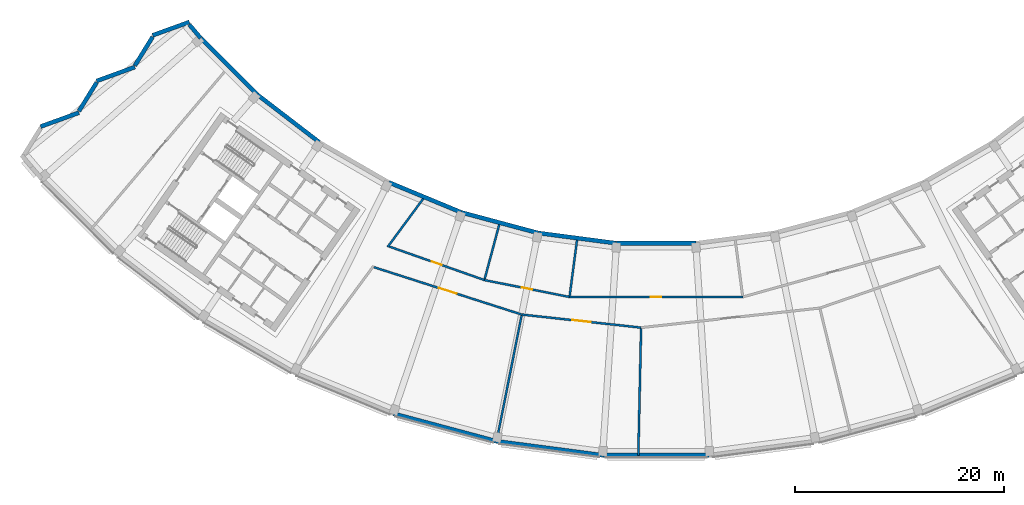
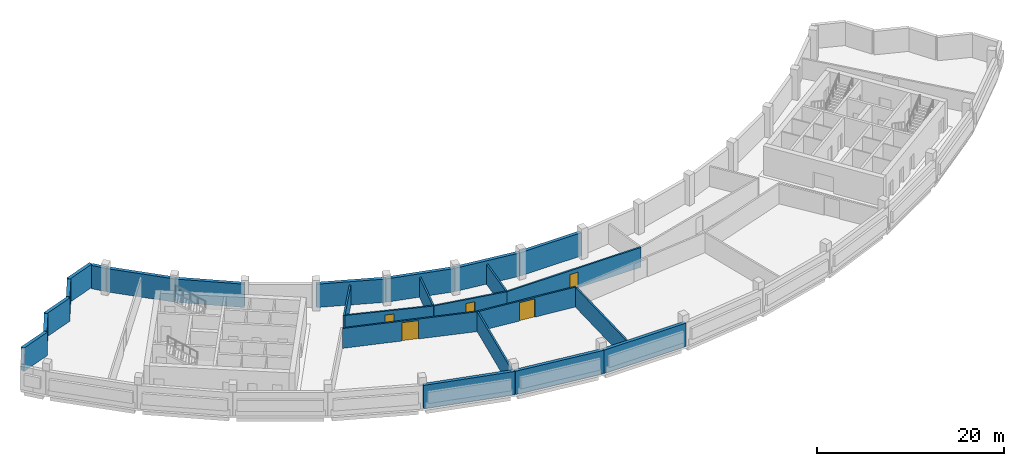
# One storey, part 4 of 11: 25 walls, 5 doors, 5 openings.
"""IFC4 building model written with IfcOpenShell, lengths in metres."""

from ifc_helpers import new_model, si_unit, direction, frame, frame_2d, origin, place, context, subcontext, project, spatial, rectangle, extrude, material, layer, layer_set, type_object, element, fill, save


model = new_model("IFC4")

# Units and contexts
model_context = context("Model", 3, precision=1e-05, world=origin(), true_north=direction((0.0, 1.0)))
body_context = subcontext(model_context, "Body", "Model", "MODEL_VIEW")
ifc_project = project(units=[si_unit("LENGTHUNIT", "METRE"), si_unit("AREAUNIT", "SQUARE_METRE"), si_unit("VOLUMEUNIT", "CUBIC_METRE"), si_unit("PLANEANGLEUNIT", "RADIAN"), si_unit("MASSUNIT", "GRAM", prefix="KILO")], contexts=[model_context])

# Site, building, storey
site_placement = place(None, origin())
site = spatial("IfcSite", under=ifc_project, at=site_placement, CompositionType="ELEMENT")
building_placement = place(site_placement, origin())
building = spatial("IfcBuilding", under=site, at=building_placement, Name="Qamariyya Broadcast Tower", CompositionType="ELEMENT")
storey_placement = place(building_placement, frame((0.0, 0.0, 298.699951171875)))
storey = spatial("IfcBuildingStorey", under=building, at=storey_placement, Name="L72", CompositionType="ELEMENT", Elevation=298.699951171875)

# Wall, opening, door
ifc_material_1 = material(Name="Masonry block wall", Category="masonry")
ifc_layer_1 = layer(ifc_material_1, 0.199951171875)
ifc_layer_set_1 = layer_set([ifc_layer_1], Name="Plant room wall 200 EI 120")
wall_type_1 = type_object("IfcWallType", Name="Plant room wall 200 EI 120", PredefinedType="PARTITIONING", material=ifc_layer_set_1)
wall_1_placement = place(storey_placement, frame((-12.8369140625, -64.53564453125, 0.0), z_axis=(0.0, 0.0, 1.0), x_axis=(-0.952315341923, 0.305115534736, 0.0)))
wall_1 = element("IfcWall", 1, at=wall_1_placement, inside=storey, type_object=wall_type_1, Name="Partition L72-003", PredefinedType="PARTITIONING", context=body_context, shape_type="SweptSolid", body=[
    extrude(rectangle(XDim=14.83251953125, YDim=0.199951171875, at=frame_2d((7.416259765625, 0.0))), origin(), (0.0, 0.0, 1.0), 2.60009765625),
])
opening_1_placement = place(wall_1_placement, frame((6.516357421875, 0.0, 0.0)))
opening_1 = element("IfcOpeningElement", 2, at=opening_1_placement, cuts=wall_1, Name="Opening L72-D01", PredefinedType="OPENING", context=body_context, shape_type="SweptSolid", body=[
    extrude(rectangle(XDim=1.800048828125, YDim=2.39990234375, at=frame_2d((0.89990234375, 1.199951171875))), frame((0.0, 0.10986328125, 0.0), z_axis=(0.0, -1.0, 0.0), x_axis=(1.0, 0.0, 0.0)), (0.0, 0.0, 1.0), 0.219970703125),
])
ifc_material_2 = material(Name="Insulated metal door leaf")
door_type_1 = type_object("IfcDoorType", Name="Plant double door 1800 x 2400 FD120", OperationType="NOTDEFINED", PredefinedType="DOOR", material=ifc_material_2)
door_1_placement = place(opening_1_placement, origin())
door_1 = element("IfcDoor", 3, at=door_1_placement, inside=storey, type_object=door_type_1, Name="Door L72-D01", OperationType="DOUBLE_DOOR_SINGLE_SWING", OverallHeight=2.39990234375, OverallWidth=1.800048828125, PredefinedType="DOOR", context=body_context, shape_type="SweptSolid", body=[
    extrude(rectangle(XDim=1.800048828125, YDim=2.39990234375, at=frame_2d((0.89990234375, 1.199951171875))), frame((0.0, 0.02490234375, 0.0), z_axis=(0.0, -1.0, 0.0), x_axis=(1.0, 0.0, 0.0)), (0.0, 0.0, 1.0), 0.050048828125),
])
fill(opening_1, door_1)

wall_2_placement = place(storey_placement, frame((-25.50390625, -58.035888671875, 0.0), z_axis=(0.0, 0.0, 1.0), x_axis=(0.943186956549, -0.332262494116, 0.0)))
wall_2 = element("IfcWall", 4, at=wall_2_placement, inside=storey, type_object=wall_type_1, Name="Partition L72-004", PredefinedType="PARTITIONING", context=body_context, shape_type="SweptSolid", body=[
    extrude(rectangle(XDim=9.642578125, YDim=0.199951171875, at=frame_2d((4.8212890625, 0.0))), origin(), (0.0, 0.0, 1.0), 2.60009765625),
])
opening_2_placement = place(wall_2_placement, frame((4.3212890625, 0.0, 0.0)))
opening_2 = element("IfcOpeningElement", 5, at=opening_2_placement, cuts=wall_2, Name="Opening L72-D05", PredefinedType="OPENING", context=body_context, shape_type="SweptSolid", body=[
    extrude(rectangle(XDim=1.0, YDim=2.10009765625, at=frame_2d((0.5, 1.050048828125))), frame((0.0, 0.10986328125, 0.0), z_axis=(0.0, -1.0, 0.0), x_axis=(1.0, 0.0, 0.0)), (0.0, 0.0, 1.0), 0.219970703125),
])
door_type_2 = type_object("IfcDoorType", Name="Plant door 1000 x 2100 FD120", OperationType="NOTDEFINED", PredefinedType="DOOR", material=ifc_material_2)
door_2_placement = place(opening_2_placement, origin())
door_2 = element("IfcDoor", 6, at=door_2_placement, inside=storey, type_object=door_type_2, Name="Door L72-D05", OperationType="SINGLE_SWING_RIGHT", OverallHeight=2.10009765625, OverallWidth=1.0, PredefinedType="DOOR", context=body_context, shape_type="SweptSolid", body=[
    extrude(rectangle(XDim=1.0, YDim=2.10009765625, at=frame_2d((0.5, 1.050048828125))), frame((0.0, 0.02490234375, 0.0), z_axis=(0.0, -1.0, 0.0), x_axis=(1.0, 0.0, 0.0)), (0.0, 0.0, 1.0), 0.050048828125),
])
fill(opening_2, door_2)

# Wall
wall_3_placement = place(storey_placement, frame((-22.251953125, -53.469482421875, 0.0), z_axis=(0.0, 0.0, 1.0), x_axis=(-0.593885763016, -0.804549377283, 0.0)))
element("IfcWall", 7, at=wall_3_placement, inside=storey, type_object=wall_type_1, Name="Partition L72-005", PredefinedType="PARTITIONING", context=body_context, shape_type="SweptSolid", body=[
    extrude(rectangle(XDim=5.734375, YDim=0.199951171875, at=frame_2d((2.8671875, 0.0))), origin(), (0.0, 0.0, 1.0), 2.60009765625),
])

# Wall, opening, door
wall_4_placement = place(storey_placement, frame((-16.4091796875, -61.23974609375, 0.0), z_axis=(0.0, 0.0, 1.0), x_axis=(0.98078508005, -0.195091329256, 0.0)))
wall_4 = element("IfcWall", 8, at=wall_4_placement, inside=storey, type_object=wall_type_1, Name="Partition L72-006", PredefinedType="PARTITIONING", context=body_context, shape_type="SweptSolid", body=[
    extrude(rectangle(XDim=8.293212890625, YDim=0.199951171875, at=frame_2d((4.146484375, 0.0))), origin(), (0.0, 0.0, 1.0), 2.60009765625),
])
opening_3_placement = place(wall_4_placement, frame((3.646484375, 0.0, 0.0)))
opening_3 = element("IfcOpeningElement", 9, at=opening_3_placement, cuts=wall_4, Name="Opening L72-D06", PredefinedType="OPENING", context=body_context, shape_type="SweptSolid", body=[
    extrude(rectangle(XDim=1.0, YDim=2.10009765625, at=frame_2d((0.5, 1.050048828125))), frame((0.0, 0.10986328125, 0.0), z_axis=(0.0, -1.0, 0.0), x_axis=(1.0, 0.0, 0.0)), (0.0, 0.0, 1.0), 0.219970703125),
])
door_3_placement = place(opening_3_placement, origin())
door_3 = element("IfcDoor", 10, at=door_3_placement, inside=storey, type_object=door_type_2, Name="Door L72-D06", OperationType="SINGLE_SWING_RIGHT", OverallHeight=2.10009765625, OverallWidth=1.0, PredefinedType="DOOR", context=body_context, shape_type="SweptSolid", body=[
    extrude(rectangle(XDim=1.0, YDim=2.10009765625, at=frame_2d((0.5, 1.050048828125))), frame((0.0, 0.02490234375, 0.0), z_axis=(0.0, -1.0, 0.0), x_axis=(1.0, 0.0, 0.0)), (0.0, 0.0, 1.0), 0.050048828125),
])
fill(opening_3, door_3)

# Walls
wall_5_placement = place(storey_placement, frame((-15.246337890625, -76.6484375, 0.0), z_axis=(0.0, 0.0, 1.0), x_axis=(0.195092710304, 0.98078480534, 0.0)))
element("IfcWall", 11, at=wall_5_placement, inside=storey, type_object=wall_type_1, Name="Partition L72-007", PredefinedType="PARTITIONING", context=body_context, shape_type="SweptSolid", body=[
    extrude(rectangle(XDim=12.25, YDim=0.199951171875, at=frame_2d((6.125, 0.0))), origin(), (0.0, 0.0, 1.0), 2.60009765625),
])
wall_6_placement = place(storey_placement, frame((-14.992431640625, -55.952880859375, 0.0), z_axis=(0.0, 0.0, 1.0), x_axis=(-0.258847367931, -0.965918236765, 0.0)))
element("IfcWall", 12, at=wall_6_placement, inside=storey, type_object=wall_type_1, Name="Partition L72-008", PredefinedType="PARTITIONING", context=body_context, shape_type="SweptSolid", body=[
    extrude(rectangle(XDim=5.373291015625, YDim=0.199951171875, at=frame_2d((2.6865234375, 0.0))), origin(), (0.0, 0.0, 1.0), 2.60009765625),
])

# Wall, opening, door
wall_7_placement = place(storey_placement, frame((-1.437255859375, -65.7841796875, 0.0), z_axis=(0.0, 0.0, 1.0), x_axis=(-0.994055682006, 0.108872866549, 0.0)))
wall_7 = element("IfcWall", 13, at=wall_7_placement, inside=storey, type_object=wall_type_1, Name="Partition L72-009", PredefinedType="PARTITIONING", context=body_context, shape_type="SweptSolid", body=[
    extrude(rectangle(XDim=11.4677734375, YDim=0.199951171875, at=frame_2d((5.73388671875, 0.0))), origin(), (0.0, 0.0, 1.0), 2.60009765625),
])
opening_4_placement = place(wall_7_placement, frame((4.833984375, 0.0, 0.0)))
opening_4 = element("IfcOpeningElement", 14, at=opening_4_placement, cuts=wall_7, Name="Opening L72-D02", PredefinedType="OPENING", context=body_context, shape_type="SweptSolid", body=[
    extrude(rectangle(XDim=1.800048828125, YDim=2.39990234375, at=frame_2d((0.89990234375, 1.199951171875))), frame((0.0, 0.10986328125, 0.0), z_axis=(0.0, -1.0, 0.0), x_axis=(1.0, 0.0, 0.0)), (0.0, 0.0, 1.0), 0.219970703125),
])
door_4_placement = place(opening_4_placement, origin())
door_4 = element("IfcDoor", 15, at=door_4_placement, inside=storey, type_object=door_type_1, Name="Door L72-D02", OperationType="DOUBLE_DOOR_SINGLE_SWING", OverallHeight=2.39990234375, OverallWidth=1.800048828125, PredefinedType="DOOR", context=body_context, shape_type="SweptSolid", body=[
    extrude(rectangle(XDim=1.800048828125, YDim=2.39990234375, at=frame_2d((0.89990234375, 1.199951171875))), frame((0.0, 0.02490234375, 0.0), z_axis=(0.0, -1.0, 0.0), x_axis=(1.0, 0.0, 0.0)), (0.0, 0.0, 1.0), 0.050048828125),
])
fill(opening_4, door_4)

wall_8_placement = place(storey_placement, frame((-8.275390625, -62.857666015625, 0.0), z_axis=(0.0, 0.0, 1.0), x_axis=(1.0, 0.0, 0.0)))
wall_8 = element("IfcWall", 16, at=wall_8_placement, inside=storey, type_object=wall_type_1, Name="Partition L72-010", PredefinedType="PARTITIONING", context=body_context, shape_type="SweptSolid", body=[
    extrude(rectangle(XDim=16.55078125, YDim=0.199951171875, at=frame_2d((8.275390625, 0.0))), origin(), (0.0, 0.0, 1.0), 2.60009765625),
])
opening_5_placement = place(wall_8_placement, frame((7.775390625, 0.0, 0.0)))
opening_5 = element("IfcOpeningElement", 17, at=opening_5_placement, cuts=wall_8, Name="Opening L72-D07", PredefinedType="OPENING", context=body_context, shape_type="SweptSolid", body=[
    extrude(rectangle(XDim=1.0, YDim=2.10009765625, at=frame_2d((0.5, 1.050048828125))), frame((0.0, 0.10986328125, 0.0), z_axis=(0.0, -1.0, 0.0), x_axis=(1.0, 0.0, 0.0)), (0.0, 0.0, 1.0), 0.219970703125),
])
door_5_placement = place(opening_5_placement, origin())
door_5 = element("IfcDoor", 18, at=door_5_placement, inside=storey, type_object=door_type_2, Name="Door L72-D07", OperationType="SINGLE_SWING_RIGHT", OverallHeight=2.10009765625, OverallWidth=1.0, PredefinedType="DOOR", context=body_context, shape_type="SweptSolid", body=[
    extrude(rectangle(XDim=1.0, YDim=2.10009765625, at=frame_2d((0.5, 1.050048828125))), frame((0.0, 0.02490234375, 0.0), z_axis=(0.0, -1.0, 0.0), x_axis=(1.0, 0.0, 0.0)), (0.0, 0.0, 1.0), 0.050048828125),
])
fill(opening_5, door_5)

# Walls
wall_9_placement = place(storey_placement, frame((-7.56103515625, -57.430908203125, 0.0), z_axis=(0.0, 0.0, 1.0), x_axis=(-0.130485069567, -0.991450274406, 0.0)))
element("IfcWall", 19, at=wall_9_placement, inside=storey, type_object=wall_type_1, Name="Partition L72-011", PredefinedType="PARTITIONING", context=body_context, shape_type="SweptSolid", body=[
    extrude(rectangle(XDim=5.37353515625, YDim=0.199951171875, at=frame_2d((2.686767578125, 0.0))), origin(), (0.0, 0.0, 1.0), 2.60009765625),
])
wall_10_placement = place(storey_placement, frame((-1.703857421875, -77.982177734375, 0.0), z_axis=(0.0, 0.0, 1.0), x_axis=(0.021850169331, 0.999761256551, 0.0)))
element("IfcWall", 20, at=wall_10_placement, inside=storey, type_object=wall_type_1, Name="Partition L72-012", PredefinedType="PARTITIONING", context=body_context, shape_type="SweptSolid", body=[
    extrude(rectangle(XDim=12.100830078125, YDim=0.199951171875, at=frame_2d((6.05029296875, 0.0))), origin(), (0.0, 0.0, 1.0), 2.60009765625),
])
ifc_material_3 = material(Name="Terracotta", Category="masonry")
ifc_layer_2 = layer(ifc_material_3, 0.39990234375)
ifc_layer_set_2 = layer_set([ifc_layer_2], Name="Solid terracotta louvred band wall 400")
wall_type_2 = type_object("IfcWallType", Name="Solid terracotta louvred band wall 400", PredefinedType="SOLIDWALL", material=ifc_layer_set_2)
wall_11_placement = place(storey_placement, frame((-44.58642578125, -36.581787109375, 0.0), z_axis=(0.0, 0.0, 1.0), x_axis=(-0.940130056589, -0.340815898541, 0.0)))
element("IfcWall", 21, at=wall_11_placement, inside=storey, type_object=wall_type_2, Name="e-wl-L72-capW0", PredefinedType="SOLIDWALL", context=body_context, shape_type="SweptSolid", body=[
    extrude(rectangle(XDim=3.742919921875, YDim=0.39990234375, at=frame_2d((1.87158203125, 0.0))), origin(), (0.0, 0.0, 1.0), 3.050048828125),
])
wall_12_placement = place(storey_placement, frame((-48.104248046875, -38.00341796875, 0.0), z_axis=(0.0, 0.0, 1.0), x_axis=(-0.525678481137, -0.850683333838, 0.0)))
element("IfcWall", 22, at=wall_12_placement, inside=storey, type_object=wall_type_2, Name="e-wl-L72-capW1", PredefinedType="SOLIDWALL", context=body_context, shape_type="SweptSolid", body=[
    extrude(rectangle(XDim=3.220458984375, YDim=0.39990234375, at=frame_2d((1.6103515625, 0.0))), origin(), (0.0, 0.0, 1.0), 3.050048828125),
])
wall_13_placement = place(storey_placement, frame((-49.79638671875, -40.888916015625, 0.0), z_axis=(0.0, 0.0, 1.0), x_axis=(-0.940086069154, -0.340937212083, 0.0)))
element("IfcWall", 23, at=wall_13_placement, inside=storey, type_object=wall_type_2, Name="e-wl-L72-capW2", PredefinedType="SOLIDWALL", context=body_context, shape_type="SweptSolid", body=[
    extrude(rectangle(XDim=3.892578125, YDim=0.39990234375, at=frame_2d((1.9462890625, 0.0))), origin(), (0.0, 0.0, 1.0), 3.050048828125),
])
wall_14_placement = place(storey_placement, frame((-53.454833984375, -42.362060546875, 0.0), z_axis=(0.0, 0.0, 1.0), x_axis=(-0.525649491409, -0.850701247314, 0.0)))
element("IfcWall", 24, at=wall_14_placement, inside=storey, type_object=wall_type_2, Name="e-wl-L72-capW3", PredefinedType="SOLIDWALL", context=body_context, shape_type="SweptSolid", body=[
    extrude(rectangle(XDim=3.21923828125, YDim=0.39990234375, at=frame_2d((1.609619140625, 0.0))), origin(), (0.0, 0.0, 1.0), 3.050048828125),
])
wall_15_placement = place(storey_placement, frame((-55.14599609375, -45.24658203125, 0.0), z_axis=(0.0, 0.0, 1.0), x_axis=(-0.940075029039, -0.340967652099, 0.0)))
element("IfcWall", 25, at=wall_15_placement, inside=storey, type_object=wall_type_2, Name="e-wl-L72-capW4", PredefinedType="SOLIDWALL", context=body_context, shape_type="SweptSolid", body=[
    extrude(rectangle(XDim=3.893798828125, YDim=0.39990234375, at=frame_2d((1.94677734375, 0.0))), origin(), (0.0, 0.0, 1.0), 3.050048828125),
])
wall_16_placement = place(storey_placement, frame((-43.51123046875, -38.122802734375, 0.0), z_axis=(0.0, 0.0, 1.0), x_axis=(-0.645545650865, 0.763721685334, 0.0)))
element("IfcWall", 26, at=wall_16_placement, inside=storey, type_object=wall_type_2, Name="e-wl-L72-in00", PredefinedType="SOLIDWALL", context=body_context, shape_type="SweptSolid", body=[
    extrude(rectangle(XDim=1.68359375, YDim=0.39990234375, at=frame_2d((0.841796875, 0.0))), origin(), (0.0, 0.0, 1.0), 3.050048828125),
])
wall_17_placement = place(storey_placement, frame((-38.125732421875, -43.511962890625, 0.0), z_axis=(0.0, 0.0, 1.0), x_axis=(-0.707106781187, 0.707106781187, 0.0)))
element("IfcWall", 27, at=wall_17_placement, inside=storey, type_object=wall_type_2, Name="e-wl-L72-in10", PredefinedType="SOLIDWALL", context=body_context, shape_type="SweptSolid", body=[
    extrude(rectangle(XDim=7.6025390625, YDim=0.39990234375, at=frame_2d((3.80126953125, 0.0))), origin(), (0.0, 0.0, 1.0), 3.050048828125),
])
for number, where, z_axis, x_axis, name in (
    (28, (-32.18017578125, -48.070068359375, 0.0), (0.0, 0.0, 1.0), (-0.793355236357, 0.608758957999, 0.0), "e-wl-L72-in20"),
    (29, (-18.642333984375, -54.760986328125, 0.0), (0.0, 0.0, 1.0), (-0.923872151004, 0.382701252414, 0.0), "e-wl-L72-in40"),
):
    element("IfcWall", number, at=place(storey_placement, frame(where, z_axis=z_axis, x_axis=x_axis)), inside=storey, type_object=wall_type_2, Name=name, PredefinedType="SOLIDWALL", context=body_context, shape_type="SweptSolid", body=[
        extrude(rectangle(XDim=7.4658203125, YDim=0.39990234375, at=frame_2d((3.73291015625, 0.0))), origin(), (0.0, 0.0, 1.0), 3.050048828125),
    ])
wall_18_placement = place(storey_placement, frame((-11.261962890625, -56.745361328125, 0.0), z_axis=(0.0, 0.0, 1.0), x_axis=(-0.965927307138, 0.258813518437, 0.0)))
element("IfcWall", 30, at=wall_18_placement, inside=storey, type_object=wall_type_2, Name="e-wl-L72-in50", PredefinedType="SOLIDWALL", context=body_context, shape_type="SweptSolid", body=[
    extrude(rectangle(XDim=7.6171875, YDim=0.39990234375, at=frame_2d((3.80859375, 0.0))), origin(), (0.0, 0.0, 1.0), 3.050048828125),
])
wall_19_placement = place(storey_placement, frame((-3.833984375, -57.719970703125, 0.0), z_axis=(0.0, 0.0, 1.0), x_axis=(-0.991442493144, 0.130544179452, 0.0)))
element("IfcWall", 31, at=wall_19_placement, inside=storey, type_object=wall_type_2, Name="e-wl-L72-in60", PredefinedType="SOLIDWALL", context=body_context, shape_type="SweptSolid", body=[
    extrude(rectangle(XDim=7.4658203125, YDim=0.39990234375, at=frame_2d((3.73291015625, 0.0))), origin(), (0.0, 0.0, 1.0), 3.050048828125),
])
wall_20_placement = place(storey_placement, frame((3.80859375, -57.7265625, 0.0), z_axis=(0.0, 0.0, 1.0), x_axis=(-1.0, 0.0, 0.0)))
element("IfcWall", 32, at=wall_20_placement, inside=storey, type_object=wall_type_2, Name="e-wl-L72-in70", PredefinedType="SOLIDWALL", context=body_context, shape_type="SweptSolid", body=[
    extrude(rectangle(XDim=7.6171875, YDim=0.39990234375, at=frame_2d((3.80859375, 0.0))), origin(), (0.0, 0.0, 1.0), 3.050048828125),
])
wall_21_placement = place(storey_placement, frame((-25.0712890625, -74.015380859375, 0.0), z_axis=(0.0, 0.0, 1.0), x_axis=(0.965928778267, -0.258808027921, 0.0)))
element("IfcWall", 33, at=wall_21_placement, inside=storey, type_object=wall_type_2, Name="e-wl-L72-out50", PredefinedType="SOLIDWALL", context=body_context, shape_type="SweptSolid", body=[
    extrude(rectangle(XDim=10.120849609375, YDim=0.39990234375, at=frame_2d((5.060546875, 0.0))), origin(), (0.0, 0.0, 1.0), 3.050048828125),
])
wall_22_placement = place(storey_placement, frame((-15.27099609375, -76.644775390625, 0.0), z_axis=(0.0, 0.0, 1.0), x_axis=(0.991444909321, -0.130525828027, 0.0)))
element("IfcWall", 34, at=wall_22_placement, inside=storey, type_object=wall_type_2, Name="e-wl-L72-out60", PredefinedType="SOLIDWALL", context=body_context, shape_type="SweptSolid", body=[
    extrude(rectangle(XDim=10.2724609375, YDim=0.39990234375, at=frame_2d((5.13623046875, 0.0))), origin(), (0.0, 0.0, 1.0), 3.050048828125),
])
wall_23_placement = place(storey_placement, frame((-5.060546875, -77.982177734375, 0.0), z_axis=(0.0, 0.0, 1.0), x_axis=(1.0, 0.0, 0.0)))
element("IfcWall", 35, at=wall_23_placement, inside=storey, type_object=wall_type_2, Name="e-wl-L72-out70", PredefinedType="SOLIDWALL", context=body_context, shape_type="SweptSolid", body=[
    extrude(rectangle(XDim=10.12109375, YDim=0.39990234375, at=frame_2d((5.060546875, 0.0))), origin(), (0.0, 0.0, 1.0), 3.050048828125),
])

save(model, "model.ifc")
